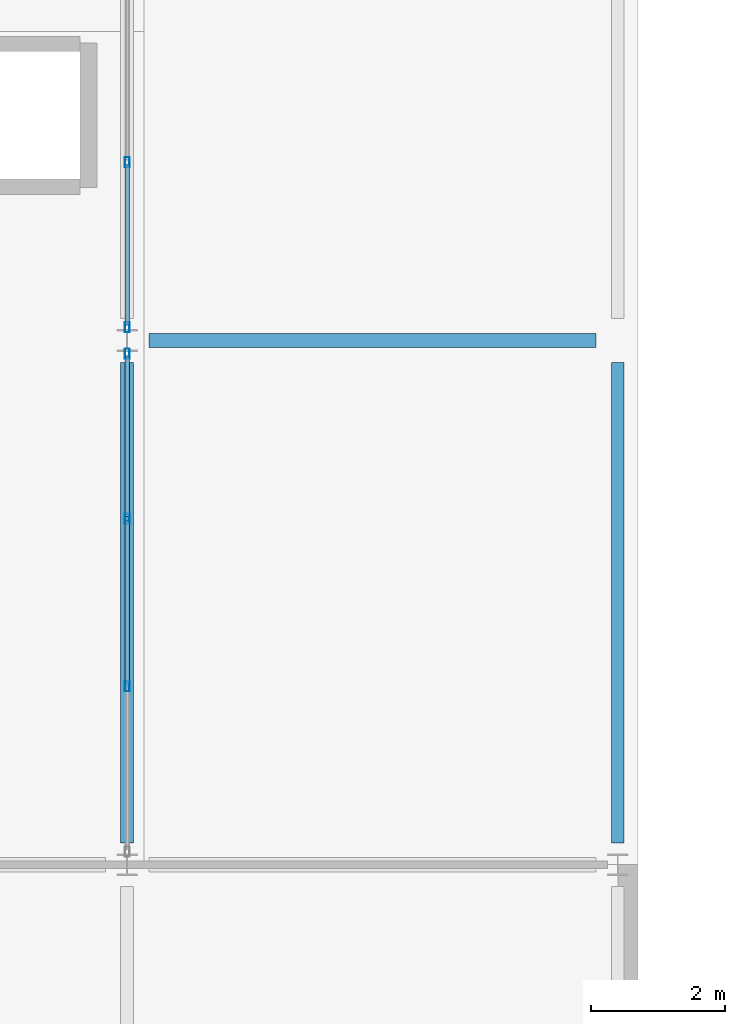
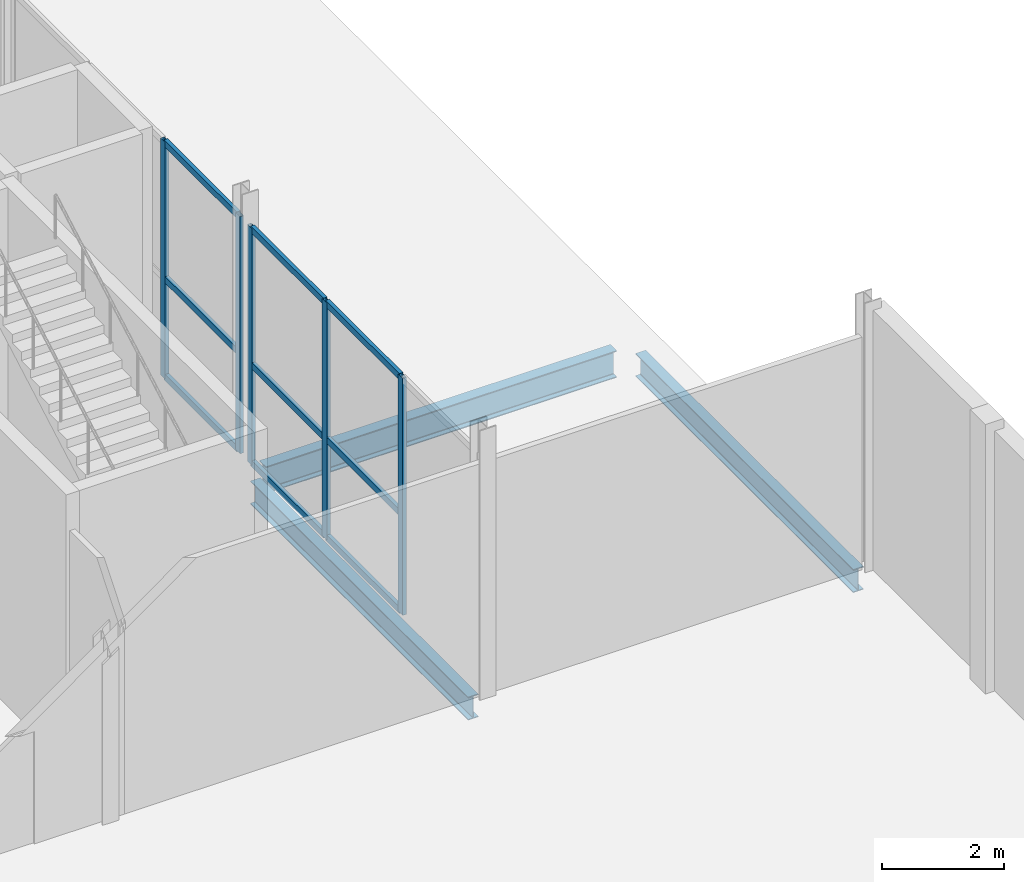
# One storey, part 15 of 83: 14 members, 3 beams, 2 elements without a shape of their own.
"""IFC4 building model written with IfcOpenShell, lengths in metres."""

import ifcopenshell
import ifcopenshell.guid

model = None  # the IFC model being written
_history = None  # IfcOwnerHistory: only IFC2X3 demands one
_inside = {}  # id of a spatial element -> (the spatial element, [elements in it])
_under = {}  # id of a project, library or spatial element -> (it, [spatial elements below it])
_declared = {}  # id of a project -> (the project, [libraries it declares])
_typed = {}  # id of a type object -> (the type object, [elements of that type])
_made_of = {}  # id of a material, layer set ... -> (it, [elements and type objects made of it])


def new_model(schema):
    """Start an empty IFC model of exactly this schema.

    Asked for "IFC4X3", IfcOpenShell would pick the latest addendum, in which some entities
    have other attributes; the version numbers below select the first issue.
    IFC2X3 requires an IfcOwnerHistory on every rooted entity: one is made here for all.
    """
    global model, _history
    if schema == "IFC4X3":
        model = ifcopenshell.file(schema_version=(4, 3, 0, 0))
    else:
        model = ifcopenshell.file(schema=schema)
    _inside.clear()
    _under.clear()
    _declared.clear()
    _typed.clear()
    _made_of.clear()
    _history = None
    if model.schema == "IFC2X3":
        org = make("IfcOrganization", Name="unknown")
        user = make(
            "IfcPersonAndOrganization",
            ThePerson=make("IfcPerson", FamilyName="unknown"),
            TheOrganization=org,
        )
        app = make(
            "IfcApplication",
            ApplicationDeveloper=org,
            Version="unknown",
            ApplicationFullName="unknown",
            ApplicationIdentifier="unknown",
        )
        _history = make(
            "IfcOwnerHistory",
            OwningUser=user,
            OwningApplication=app,
            ChangeAction="ADDED",
            CreationDate=0,
        )
    return model


def make(cls, **values):
    """One entity of the class cls with the attributes given. An attribute that is None is left unset."""
    return model.create_entity(
        cls, **{name: value for name, value in values.items() if value is not None}
    )


def rooted(cls, **values):
    """An entity with a GlobalId (a new one), such as an element, a storey or a relation."""
    return make(cls, GlobalId=ifcopenshell.guid.new(), OwnerHistory=_history, **values)


def si_unit(unit_type, name, prefix=None):
    """IfcSIUnit, for example si_unit("LENGTHUNIT", "METRE", prefix="MILLI")."""
    return make("IfcSIUnit", UnitType=unit_type, Prefix=prefix, Name=name)


def assignment(units):
    """IfcUnitAssignment: the units of a project."""
    return None if units is None else make("IfcUnitAssignment", Units=units)


def point(xyz):
    """IfcCartesianPoint."""
    return None if xyz is None else make("IfcCartesianPoint", Coordinates=xyz)


def direction(xyz):
    """IfcDirection."""
    return None if xyz is None else make("IfcDirection", DirectionRatios=xyz)


def frame(location, z_axis=None, x_axis=None):
    """IfcAxis2Placement3D, a coordinate frame: its origin and axes. An axis left out is left unset."""
    return make(
        "IfcAxis2Placement3D",
        Location=point(location),
        Axis=direction(z_axis),
        RefDirection=direction(x_axis),
    )


def frame_2d(location, x_axis=None):
    """IfcAxis2Placement2D, a coordinate frame in the plane: its origin and x axis."""
    return make(
        "IfcAxis2Placement2D", Location=point(location), RefDirection=direction(x_axis)
    )


def origin():
    """The frame at (0, 0, 0) with its axes left unset."""
    return frame((0.0, 0.0, 0.0))


def origin_2d():
    """The frame at (0, 0) in the plane with its x axis left unset."""
    return frame_2d((0.0, 0.0))


def place(relative_to, where):
    """IfcLocalPlacement: puts the frame where relative to a parent placement (None: the world)."""
    return make(
        "IfcLocalPlacement", PlacementRelTo=relative_to, RelativePlacement=where
    )


def context(
    kind, dimensions, precision=None, world=None, true_north=None, identifier=None
):
    """IfcGeometricRepresentationContext, for example the 3D "Model" context."""
    return make(
        "IfcGeometricRepresentationContext",
        ContextIdentifier=identifier,
        ContextType=kind,
        CoordinateSpaceDimension=dimensions,
        Precision=precision,
        WorldCoordinateSystem=world,
        TrueNorth=true_north,
    )


def subcontext(parent, identifier, kind, view, scale=None):
    """IfcGeometricRepresentationSubContext, for example "Body" below "Model"."""
    return make(
        "IfcGeometricRepresentationSubContext",
        ContextIdentifier=identifier,
        ContextType=kind,
        ParentContext=parent,
        TargetScale=scale,
        TargetView=view,
    )


def project(units=None, contexts=None):
    """IfcProject with its units and contexts."""
    return rooted(
        "IfcProject",
        Name="project",
        RepresentationContexts=contexts,
        UnitsInContext=assignment(units),
    )


def spatial(cls, under=None, at=None, **own):
    """A site, building, storey or space (cls), placed at a placement, below another one or the project."""
    s = rooted(cls, ObjectPlacement=at, **own)
    if under is not None:
        _under.setdefault(under.id(), (under, []))[1].append(s)
    return s


def profile(cls, at=None, kind="AREA", **sizes):
    """A parametric profile (cls). Its sizes go by their IFC names, for example OverallWidth=200.0."""
    return make(cls, ProfileType=kind, Position=at, **sizes)


def hollow_rectangle(**sizes):
    """IfcRectangleHollowProfileDef."""
    return profile("IfcRectangleHollowProfileDef", **sizes)


def i_section(**sizes):
    """IfcIShapeProfileDef."""
    return profile("IfcIShapeProfileDef", **sizes)


def extrude(swept, where, along, depth):
    """IfcExtrudedAreaSolid: the profile swept, set in the frame where, extruded along a direction by depth."""
    return make(
        "IfcExtrudedAreaSolid",
        SweptArea=swept,
        Position=where,
        ExtrudedDirection=direction(along),
        Depth=depth,
    )


def shape(context_of_items, identifier, shape_type, items):
    """IfcShapeRepresentation: the items that make up one representation, for example the "Body"."""
    return make(
        "IfcShapeRepresentation",
        ContextOfItems=context_of_items,
        RepresentationIdentifier=identifier,
        RepresentationType=shape_type,
        Items=items,
    )


def material(Name=None, Category=None):
    """IfcMaterial."""
    return make("IfcMaterial", Name=Name, Category=Category)


def layer(
    of_material, thickness, ventilated=None, Name=None, Category=None, Priority=None
):
    """IfcMaterialLayer: one layer of a wall or slab, of a material (None: an air gap)."""
    return make(
        "IfcMaterialLayer",
        Material=of_material,
        LayerThickness=thickness,
        IsVentilated=ventilated,
        Name=Name,
        Category=Category,
        Priority=Priority,
    )


def layer_set(layers, Name=None):
    """IfcMaterialLayerSet."""
    return make("IfcMaterialLayerSet", MaterialLayers=layers, LayerSetName=Name)


def material_profile(
    of_material, cross_section, Name=None, Category=None, Priority=None
):
    """IfcMaterialProfile: a cross section and its material."""
    return make(
        "IfcMaterialProfile",
        Name=Name,
        Material=of_material,
        Profile=cross_section,
        Priority=Priority,
        Category=Category,
    )


def profile_set(profiles, Name=None, composite=None):
    """IfcMaterialProfileSet."""
    return make(
        "IfcMaterialProfileSet",
        Name=Name,
        MaterialProfiles=profiles,
        CompositeProfile=composite,
    )


def made_of(thing, what):
    """Note that an element or type object is made of a material, layer set ...; save() writes the relation."""
    if what is not None:
        _made_of.setdefault(what.id(), (what, []))[1].append(thing)
    return thing


def type_object(cls, material=None, **own):
    """A type object (cls), such as IfcWallType, which elements share."""
    return made_of(rooted(cls, **own), material)


def element(
    cls,
    number,
    at=None,
    inside=None,
    cuts=None,
    type_object=None,
    material=None,
    context=None,
    identifier="Body",
    shape_type=None,
    held_by="IfcProductDefinitionShape",
    body=None,
    shapes=None,
    **own,
):
    """One element of the class cls, such as IfcWall. Its Tag is "e" and its number.

    at: its placement. inside: the storey or other place that contains it. cuts: it is an
    opening in that element (IfcRelVoidsElement). A single representation is given by context,
    identifier, shape_type and body (its items); several are given by shapes. held_by: the class
    of the entity that holds the representations. save() writes the other relations.
    """
    e = rooted(cls, Tag="e%d" % number, ObjectPlacement=at, **own)
    if body is not None:
        shapes = [shape(context, identifier, shape_type, body)]
    if shapes is not None:
        e.Representation = make(held_by, Representations=shapes)
    if inside is not None:
        _inside.setdefault(inside.id(), (inside, []))[1].append(e)
    if cuts is not None:
        rooted(
            "IfcRelVoidsElement", RelatingBuildingElement=cuts, RelatedOpeningElement=e
        )
    if type_object is not None:
        _typed.setdefault(type_object.id(), (type_object, []))[1].append(e)
    return made_of(e, material)


def aggregate(whole, parts):
    """IfcRelAggregates: a whole, such as a stair, and the parts it consists of."""
    return rooted("IfcRelAggregates", RelatingObject=whole, RelatedObjects=parts)


def save(model, path):
    """Write the relations noted so far, then the file.

    IfcRelAggregates (storeys below a building ...), IfcRelContainedInSpatialStructure (elements
    in a storey), IfcRelDefinesByType, IfcRelAssociatesMaterial and IfcRelDeclares: one each for
    every whole, place, type object, material and project.
    """
    for whole, parts in _under.values():
        aggregate(whole, parts)
    for where, things in _inside.values():
        rooted(
            "IfcRelContainedInSpatialStructure",
            RelatedElements=things,
            RelatingStructure=where,
        )
    for kind, things in _typed.values():
        rooted("IfcRelDefinesByType", RelatedObjects=things, RelatingType=kind)
    for what, things in _made_of.values():
        rooted("IfcRelAssociatesMaterial", RelatedObjects=things, RelatingMaterial=what)
    for by, libraries in _declared.values():
        rooted("IfcRelDeclares", RelatingContext=by, RelatedDefinitions=libraries)
    model.write(path)


model = new_model("IFC4")

# Units and contexts
model_context = context("Model", 3, precision=1e-05, world=origin(), true_north=direction((0.0, 1.0)))
body_context = subcontext(model_context, "Body", "Model", "MODEL_VIEW")
ifc_project = project(units=[si_unit("LENGTHUNIT", "METRE"), si_unit("AREAUNIT", "SQUARE_METRE"), si_unit("VOLUMEUNIT", "CUBIC_METRE"), si_unit("PLANEANGLEUNIT", "RADIAN"), si_unit("MASSUNIT", "GRAM", prefix="KILO")], contexts=[model_context])

# Site, building, storey
site_placement = place(None, origin())
site = spatial("IfcSite", under=ifc_project, at=site_placement, CompositionType="ELEMENT")
building_placement = place(site_placement, origin())
building = spatial("IfcBuilding", under=site, at=building_placement, Name="Quillay Park Conservatory", CompositionType="ELEMENT")
storey_placement = place(building_placement, origin())
storey = spatial("IfcBuildingStorey", under=building, at=storey_placement, Name="L00", CompositionType="ELEMENT", Elevation=0.0)

# Curtain wall, members
ifc_material_1 = material(Name="Thermally Broken Anodised Aluminium 6063-T6", Category="aluminium")
ifc_layer = layer(ifc_material_1, 0.1650390625)
ifc_layer_set = layer_set([ifc_layer], Name="UNITISED CURTAIN WALL PODIUM (Thermally Broken Anodised Aluminium 6063-T6)")
curtain_wall_type = type_object("IfcCurtainWallType", Name="UNITISED CURTAIN WALL PODIUM", PredefinedType="USERDEFINED", material=ifc_layer_set)
curtain_wall_1_placement = place(storey_placement, origin())
curtain_wall_1 = element("IfcCurtainWall", 1, at=curtain_wall_1_placement, inside=storey, type_object=curtain_wall_type, Name="L00 Unitised Curtain Wall 196", ObjectType="UNITISED CURTAIN WALL", PredefinedType="USERDEFINED")
ifc_material_2 = material(Name="Thermally Broken Anodised Aluminium 6063-T6", Category="aluminium")
ifc_material_profile_1 = material_profile(ifc_material_2, hollow_rectangle(XDim=0.070068359375, YDim=0.14990234375, WallThickness=0.00341796875, at=origin_2d()), Name="AL70x150x3.5")
ifc_profile_set_1 = profile_set([ifc_material_profile_1], Name="Thermally Broken Anodised Aluminium 6063-T6")
member_type_1 = type_object("IfcMemberType", Name="CURTAIN WALL MULLION 70 X150", PredefinedType="MULLION", material=ifc_profile_set_1)
member_1_placement = place(storey_placement, frame((22.14990234375, 23.205078125, 0.0), z_axis=(0.0, 0.0, 1.0), x_axis=(1.0, 0.0, 0.0)))
member_1 = element("IfcMember", 2, at=member_1_placement, type_object=member_type_1, Name="CW-P1 mullion 1", PredefinedType="MULLION", context=body_context, shape_type="SweptSolid", body=[
    extrude(hollow_rectangle(XDim=0.070068359375, YDim=0.14990234375, WallThickness=0.00341796875, at=origin_2d()), origin(), (0.0, 0.0, 1.0), 4.7490234375),
])
member_2_placement = place(storey_placement, frame((22.14990234375, 20.74658203125, 0.0), z_axis=(0.0, 0.0, 1.0), x_axis=(1.0, 0.0, 0.0)))
member_2 = element("IfcMember", 3, at=member_2_placement, type_object=member_type_1, Name="CW-P1 mullion 2", PredefinedType="MULLION", context=body_context, shape_type="SweptSolid", body=[
    extrude(hollow_rectangle(XDim=0.070068359375, YDim=0.14990234375, WallThickness=0.00341796875, at=origin_2d()), origin(), (0.0, 0.0, 1.0), 4.7490234375),
])
member_3_placement = place(storey_placement, frame((22.14990234375, 18.25341796875, 0.0), z_axis=(0.0, 0.0, 1.0), x_axis=(1.0, 0.0, 0.0)))
member_3 = element("IfcMember", 4, at=member_3_placement, type_object=member_type_1, Name="CW-P1 mullion 3", PredefinedType="MULLION", context=body_context, shape_type="SweptSolid", body=[
    extrude(hollow_rectangle(XDim=0.070068359375, YDim=0.14990234375, WallThickness=0.00341796875, at=origin_2d()), origin(), (0.0, 0.0, 1.0), 4.7490234375),
])

curtain_wall_2_placement = place(storey_placement, origin())
curtain_wall_2 = element("IfcCurtainWall", 5, at=curtain_wall_2_placement, inside=storey, type_object=curtain_wall_type, Name="L00 Unitised Curtain Wall 197", ObjectType="UNITISED CURTAIN WALL", PredefinedType="USERDEFINED")
member_4_placement = place(storey_placement, frame((22.14990234375, 26.05322265625, 0.0), z_axis=(0.0, 0.0, 1.0), x_axis=(1.0, 0.0, 0.0)))
member_4 = element("IfcMember", 6, at=member_4_placement, type_object=member_type_1, Name="CW-P1 mullion 3", PredefinedType="MULLION", context=body_context, shape_type="SweptSolid", body=[
    extrude(hollow_rectangle(XDim=0.070068359375, YDim=0.14990234375, WallThickness=0.00341796875, at=origin_2d()), origin(), (0.0, 0.0, 1.0), 4.7490234375),
])
member_5_placement = place(storey_placement, frame((22.14990234375, 23.594970703125, 0.0), z_axis=(0.0, 0.0, 1.0), x_axis=(1.0, 0.0, 0.0)))
member_5 = element("IfcMember", 7, at=member_5_placement, type_object=member_type_1, Name="CW-P1 mullion 4", PredefinedType="MULLION", context=body_context, shape_type="SweptSolid", body=[
    extrude(hollow_rectangle(XDim=0.070068359375, YDim=0.14990234375, WallThickness=0.00341796875, at=origin_2d()), origin(), (0.0, 0.0, 1.0), 4.7490234375),
])

# Member
ifc_material_3 = material(Name="Thermally Broken Anodised Aluminium 6063-T6", Category="aluminium")
ifc_material_profile_2 = material_profile(ifc_material_3, hollow_rectangle(XDim=0.070068359375, YDim=0.1298828125, WallThickness=0.003173828125, at=origin_2d()), Name="AL70x130x3.2")
ifc_profile_set_2 = profile_set([ifc_material_profile_2], Name="Thermally Broken Anodised Aluminium 6063-T6")
member_type_2 = type_object("IfcMemberType", Name="CURTAIN WALL TRANSOM 70 X130", PredefinedType="USERDEFINED", material=ifc_profile_set_2)
member_6_placement = place(storey_placement, frame((22.14990234375, 23.169921875, 0.034912109375), z_axis=(0.0, -1.0, 0.0), x_axis=(1.0, 0.0, 0.0)))
member_6 = element("IfcMember", 8, at=member_6_placement, type_object=member_type_2, Name="CW-P1 transom 1.1", ObjectType="TRANSOM", PredefinedType="USERDEFINED", context=body_context, shape_type="SweptSolid", body=[
    extrude(hollow_rectangle(XDim=0.070068359375, YDim=0.1298828125, WallThickness=0.003173828125, at=origin_2d()), origin(), (0.0, 0.0, 1.0), 2.38818359375),
])

member_7_placement = place(storey_placement, frame((22.14990234375, 23.169921875, 1.99462890625), z_axis=(0.0, -1.0, 0.0), x_axis=(1.0, 0.0, 0.0)))
member_7 = element("IfcMember", 9, at=member_7_placement, type_object=member_type_2, Name="CW-P1 transom 1.2", ObjectType="TRANSOM", PredefinedType="USERDEFINED", context=body_context, shape_type="SweptSolid", body=[
    extrude(hollow_rectangle(XDim=0.070068359375, YDim=0.1298828125, WallThickness=0.003173828125, at=origin_2d()), origin(), (0.0, 0.0, 1.0), 2.38818359375),
])

member_8_placement = place(storey_placement, frame((22.14990234375, 23.169921875, 4.714111328125), z_axis=(0.0, -1.0, 0.0), x_axis=(1.0, 0.0, 0.0)))
member_8 = element("IfcMember", 10, at=member_8_placement, type_object=member_type_2, Name="CW-P1 transom 1.3", ObjectType="TRANSOM", PredefinedType="USERDEFINED", context=body_context, shape_type="SweptSolid", body=[
    extrude(hollow_rectangle(XDim=0.070068359375, YDim=0.1298828125, WallThickness=0.003173828125, at=origin_2d()), origin(), (0.0, 0.0, 1.0), 2.38818359375),
])

member_9_placement = place(storey_placement, frame((22.14990234375, 20.711669921875, 0.034912109375), z_axis=(0.0, -1.0, 0.0), x_axis=(1.0, 0.0, 0.0)))
member_9 = element("IfcMember", 11, at=member_9_placement, type_object=member_type_2, Name="CW-P1 transom 2.1", ObjectType="TRANSOM", PredefinedType="USERDEFINED", context=body_context, shape_type="SweptSolid", body=[
    extrude(hollow_rectangle(XDim=0.070068359375, YDim=0.1298828125, WallThickness=0.003173828125, at=origin_2d()), origin(), (0.0, 0.0, 1.0), 2.42333984375),
])

member_10_placement = place(storey_placement, frame((22.14990234375, 20.711669921875, 1.99462890625), z_axis=(0.0, -1.0, 0.0), x_axis=(1.0, 0.0, 0.0)))
member_10 = element("IfcMember", 12, at=member_10_placement, type_object=member_type_2, Name="CW-P1 transom 2.2", ObjectType="TRANSOM", PredefinedType="USERDEFINED", context=body_context, shape_type="SweptSolid", body=[
    extrude(hollow_rectangle(XDim=0.070068359375, YDim=0.1298828125, WallThickness=0.003173828125, at=origin_2d()), origin(), (0.0, 0.0, 1.0), 2.42333984375),
])

member_11_placement = place(storey_placement, frame((22.14990234375, 20.711669921875, 4.714111328125), z_axis=(0.0, -1.0, 0.0), x_axis=(1.0, 0.0, 0.0)))
member_11 = element("IfcMember", 13, at=member_11_placement, type_object=member_type_2, Name="CW-P1 transom 2.3", ObjectType="TRANSOM", PredefinedType="USERDEFINED", context=body_context, shape_type="SweptSolid", body=[
    extrude(hollow_rectangle(XDim=0.070068359375, YDim=0.1298828125, WallThickness=0.003173828125, at=origin_2d()), origin(), (0.0, 0.0, 1.0), 2.42333984375),
])

aggregate(curtain_wall_1, [member_1, member_2, member_3, member_6, member_7, member_8, member_9, member_10, member_11])

member_12_placement = place(storey_placement, frame((22.14990234375, 26.018310546875, 0.034912109375), z_axis=(0.0, -1.0, 0.0), x_axis=(1.0, 0.0, 0.0)))
member_12 = element("IfcMember", 14, at=member_12_placement, type_object=member_type_2, Name="CW-P1 transom 3.1", ObjectType="TRANSOM", PredefinedType="USERDEFINED", context=body_context, shape_type="SweptSolid", body=[
    extrude(hollow_rectangle(XDim=0.070068359375, YDim=0.1298828125, WallThickness=0.003173828125, at=origin_2d()), origin(), (0.0, 0.0, 1.0), 2.388427734375),
])

member_13_placement = place(storey_placement, frame((22.14990234375, 26.018310546875, 1.99462890625), z_axis=(0.0, -1.0, 0.0), x_axis=(1.0, 0.0, 0.0)))
member_13 = element("IfcMember", 15, at=member_13_placement, type_object=member_type_2, Name="CW-P1 transom 3.2", ObjectType="TRANSOM", PredefinedType="USERDEFINED", context=body_context, shape_type="SweptSolid", body=[
    extrude(hollow_rectangle(XDim=0.070068359375, YDim=0.1298828125, WallThickness=0.003173828125, at=origin_2d()), origin(), (0.0, 0.0, 1.0), 2.388427734375),
])

member_14_placement = place(storey_placement, frame((22.14990234375, 26.018310546875, 4.714111328125), z_axis=(0.0, -1.0, 0.0), x_axis=(1.0, 0.0, 0.0)))
member_14 = element("IfcMember", 16, at=member_14_placement, type_object=member_type_2, Name="CW-P1 transom 3.3", ObjectType="TRANSOM", PredefinedType="USERDEFINED", context=body_context, shape_type="SweptSolid", body=[
    extrude(hollow_rectangle(XDim=0.070068359375, YDim=0.1298828125, WallThickness=0.003173828125, at=origin_2d()), origin(), (0.0, 0.0, 1.0), 2.388427734375),
])

aggregate(curtain_wall_2, [member_4, member_5, member_12, member_13, member_14])

# Beams
ifc_material_4 = material(Name="Steel ASTM A992 Grade 50", Category="steel")
ifc_material_profile_3 = material_profile(ifc_material_4, i_section(OverallWidth=0.19189453125, OverallDepth=0.462890625, WebThickness=0.010498046875, FlangeThickness=0.017578125, FilletRadius=0.012939453125, at=origin_2d()), Name="W460x89")
ifc_profile_set_3 = profile_set([ifc_material_profile_3], Name="Steel ASTM A992 Grade 50")
beam_type_1 = type_object("IfcBeamType", Name="PRIMARY FLOOR GIRDER W460 X89", PredefinedType="BEAM", material=ifc_profile_set_3)
for number, where, z_axis, x_axis, name in (
    (17, (22.14990234375, 15.925048828125, -0.4814453125), (0.0, 1.0, 0.0), (-1.0, 0.0, 0.0), "L00 beam BM-V3Y-1231"),
    (18, (29.449951171875, 15.925048828125, -0.4814453125), (0.0, 1.0, 0.0), (-1.0, 0.0, 0.0), "L00 beam BM-V3Y-1238"),
):
    element("IfcBeam", number, at=place(storey_placement, frame(where, z_axis=z_axis, x_axis=x_axis)), inside=storey, type_object=beam_type_1, Name=name, PredefinedType="BEAM", context=body_context, shape_type="SweptSolid", body=[
        extrude(i_section(OverallWidth=0.19189453125, OverallDepth=0.462890625, WebThickness=0.010498046875, FlangeThickness=0.017578125, FilletRadius=0.012939453125, at=origin_2d()), origin(), (0.0, 0.0, 1.0), 7.14990234375),
    ])
ifc_material_5 = material(Name="Steel ASTM A992 Grade 50", Category="steel")
ifc_material_profile_4 = material_profile(ifc_material_5, i_section(OverallWidth=0.2109375, OverallDepth=0.5390625, WebThickness=0.01171875, FlangeThickness=0.018798828125, FilletRadius=0.013916015625, at=origin_2d()), Name="W530x109")
ifc_profile_set_4 = profile_set([ifc_material_profile_4], Name="Steel ASTM A992 Grade 50")
beam_type_2 = type_object("IfcBeamType", Name="PRIMARY FLOOR GIRDER W530 X109", PredefinedType="BEAM", material=ifc_profile_set_4)
beam_placement = place(storey_placement, frame((22.47509765625, 23.39990234375, -0.51953125), z_axis=(1.0, 0.0, 0.0), x_axis=(0.0, 1.0, 0.0)))
element("IfcBeam", 19, at=beam_placement, inside=storey, type_object=beam_type_2, Name="L00 beam BM-V3X-1192", PredefinedType="BEAM", context=body_context, shape_type="SweptSolid", body=[
    extrude(i_section(OverallWidth=0.2109375, OverallDepth=0.5390625, WebThickness=0.01171875, FlangeThickness=0.018798828125, FilletRadius=0.013916015625, at=origin_2d()), origin(), (0.0, 0.0, 1.0), 6.64990234375),
])

save(model, "model.ifc")
